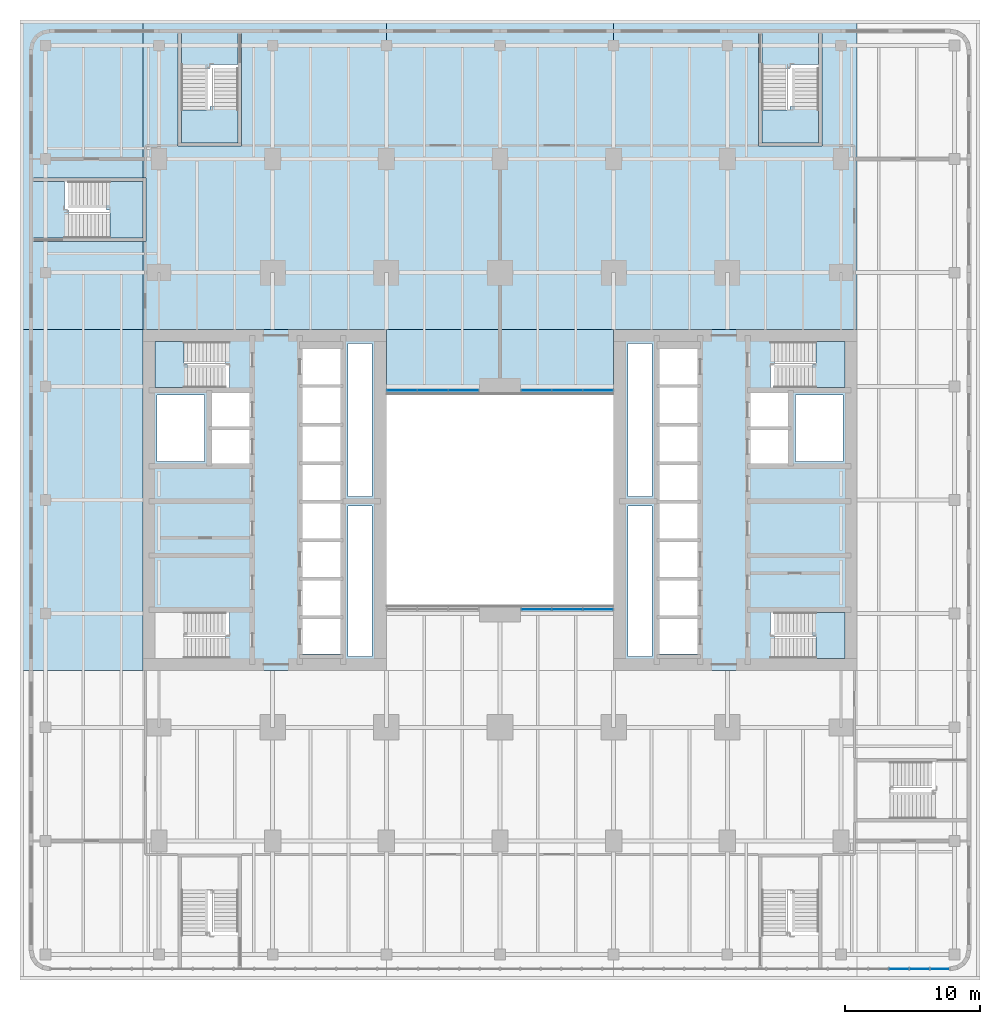
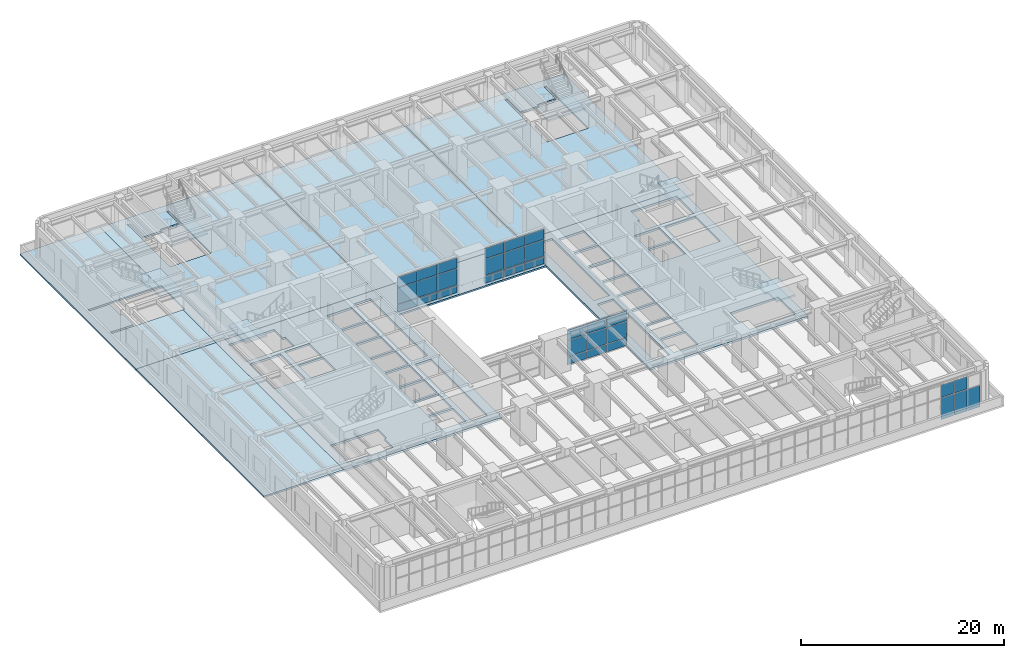
# One storey, part 15 of 30: 32 plates, 14 slabs, 10 elements without a shape of their own.
"""IFC4 building model written with IfcOpenShell, lengths in metres."""

from ifc_helpers import new_model, si_unit, direction, frame, origin, origin_2d, place, context, subcontext, project, spatial, polyline, rectangle, outline, extrude, material, layer, layer_set, type_object, element, aggregate, save


model = new_model("IFC4")

# Units and contexts
model_context = context("Model", 3, precision=1e-05, world=origin(), true_north=direction((0.0, 1.0)))
body_context = subcontext(model_context, "Body", "Model", "MODEL_VIEW")
ifc_project = project(units=[si_unit("LENGTHUNIT", "METRE"), si_unit("AREAUNIT", "SQUARE_METRE"), si_unit("VOLUMEUNIT", "CUBIC_METRE"), si_unit("PLANEANGLEUNIT", "RADIAN"), si_unit("MASSUNIT", "GRAM", prefix="KILO")], contexts=[model_context])

# Site, building, storey
site_placement = place(None, origin())
site = spatial("IfcSite", under=ifc_project, at=site_placement, CompositionType="ELEMENT")
building_placement = place(site_placement, origin())
building = spatial("IfcBuilding", under=site, at=building_placement, Name="Claustro Exchange Tower", CompositionType="ELEMENT")
storey_placement = place(building_placement, frame((0.0, 0.0, 5.39990234375)))
storey = spatial("IfcBuildingStorey", under=building, at=storey_placement, Name="L01", CompositionType="ELEMENT", Elevation=5.39990234375)

# Curtain wall, plates
ifc_material_1 = material(Name="Aluminium frame, clear double glazing", Category="aluminium")
curtain_wall_type_1 = type_object("IfcCurtainWallType", Name="CW1 storefront curtain wall", PredefinedType="USERDEFINED", material=ifc_material_1)
curtain_wall_1_placement = place(storey_placement, origin())
curtain_wall_1 = element("IfcCurtainWall", 1, at=curtain_wall_1_placement, inside=storey, type_object=curtain_wall_type_1, Name="Curtain wall CW1 L01", ObjectType="STICK CURTAIN WALL", PredefinedType="USERDEFINED")
ifc_material_2 = material(Name="Clear double glazing", Category="glass")
ifc_layer_1 = layer(ifc_material_2, 0.031982421875)
ifc_layer_set_1 = layer_set([ifc_layer_1], Name="Clear double glazing")
plate_type_1 = type_object("IfcPlateType", Name="CW1-P 32 glazed panel", PredefinedType="CURTAIN_PANEL", material=ifc_layer_set_1)
plate_1_placement = place(storey_placement, frame((54.702880859375, -9.449951171875, 0.0751953125), z_axis=(0.0, 0.0, 1.0), x_axis=(1.0, 0.0, 0.0)))
plate_1 = element("IfcPlate", 2, at=plate_1_placement, type_object=plate_type_1, Name="CW1 panel 42.1", PredefinedType="CURTAIN_PANEL", context=body_context, shape_type="SweptSolid", body=[
    extrude(rectangle(XDim=1.43798828125, YDim=0.031982421875, at=origin_2d()), origin(), (0.0, 0.0, 1.0), 2.58740234375),
])
plate_2_placement = place(storey_placement, frame((54.702880859375, -9.449951171875, 2.73779296875), z_axis=(0.0, 0.0, 1.0), x_axis=(1.0, 0.0, 0.0)))
plate_2 = element("IfcPlate", 3, at=plate_2_placement, type_object=plate_type_1, Name="CW1 panel 42.2", PredefinedType="CURTAIN_PANEL", context=body_context, shape_type="SweptSolid", body=[
    extrude(rectangle(XDim=1.43798828125, YDim=0.031982421875, at=origin_2d()), origin(), (0.0, 0.0, 1.0), 1.487548828125),
])
plate_3_placement = place(storey_placement, frame((56.2158203125, -9.449951171875, 0.0751953125), z_axis=(0.0, 0.0, 1.0), x_axis=(1.0, 0.0, 0.0)))
plate_3 = element("IfcPlate", 4, at=plate_3_placement, type_object=plate_type_1, Name="CW1 panel 43.1", PredefinedType="CURTAIN_PANEL", context=body_context, shape_type="SweptSolid", body=[
    extrude(rectangle(XDim=1.43798828125, YDim=0.031982421875, at=origin_2d()), origin(), (0.0, 0.0, 1.0), 2.58740234375),
])
plate_4_placement = place(storey_placement, frame((56.2158203125, -9.449951171875, 2.73779296875), z_axis=(0.0, 0.0, 1.0), x_axis=(1.0, 0.0, 0.0)))
plate_4 = element("IfcPlate", 5, at=plate_4_placement, type_object=plate_type_1, Name="CW1 panel 43.2", PredefinedType="CURTAIN_PANEL", context=body_context, shape_type="SweptSolid", body=[
    extrude(rectangle(XDim=1.43798828125, YDim=0.031982421875, at=origin_2d()), origin(), (0.0, 0.0, 1.0), 1.487548828125),
])
plate_5_placement = place(storey_placement, frame((57.7099609375, -9.449951171875, 0.0751953125), z_axis=(0.0, 0.0, 1.0), x_axis=(1.0, 0.0, 0.0)))
plate_5 = element("IfcPlate", 6, at=plate_5_placement, type_object=plate_type_1, Name="CW1 panel 44.1", PredefinedType="CURTAIN_PANEL", context=body_context, shape_type="SweptSolid", body=[
    extrude(rectangle(XDim=1.400390625, YDim=0.031982421875, at=origin_2d()), origin(), (0.0, 0.0, 1.0), 2.58740234375),
])
aggregate(curtain_wall_1, [plate_1, plate_2, plate_3, plate_4, plate_5])

ifc_material_3 = material(Name="Aluminium frame, clear double glazing", Category="aluminium")
curtain_wall_type_2 = type_object("IfcCurtainWallType", Name="CW3 light well curtain wall", PredefinedType="USERDEFINED", material=ifc_material_3)
curtain_wall_2_placement = place(storey_placement, origin())
curtain_wall_2 = element("IfcCurtainWall", 7, at=curtain_wall_2_placement, inside=storey, type_object=curtain_wall_type_2, Name="Curtain wall CW3 L01", ObjectType="STICK CURTAIN WALL", PredefinedType="USERDEFINED")
ifc_material_4 = material(Name="Clear double glazing", Category="glass")
ifc_layer_2 = layer(ifc_material_4, 0.030029296875)
ifc_layer_set_2 = layer_set([ifc_layer_2], Name="Clear double glazing")
plate_type_2 = type_object("IfcPlateType", Name="CW3-P 30 glazed panel", PredefinedType="CURTAIN_PANEL", material=ifc_layer_set_2)
plate_6_placement = place(storey_placement, frame((27.886962890625, 17.10009765625, 0.06494140625), z_axis=(0.0, 0.0, 1.0), x_axis=(1.0, 0.0, 0.0)))
plate_6 = element("IfcPlate", 8, at=plate_6_placement, type_object=plate_type_2, Name="CW3 panel 1.1", PredefinedType="CURTAIN_PANEL", context=body_context, shape_type="SweptSolid", body=[
    extrude(rectangle(XDim=2.194091796875, YDim=0.030029296875, at=origin_2d()), origin(), (0.0, 0.0, 1.0), 0.902587890625),
])
plate_7_placement = place(storey_placement, frame((27.886962890625, 17.10009765625, 1.032470703125), z_axis=(0.0, 0.0, 1.0), x_axis=(1.0, 0.0, 0.0)))
plate_7 = element("IfcPlate", 9, at=plate_7_placement, type_object=plate_type_2, Name="CW3 panel 1.2", PredefinedType="CURTAIN_PANEL", context=body_context, shape_type="SweptSolid", body=[
    extrude(rectangle(XDim=2.194091796875, YDim=0.030029296875, at=origin_2d()), origin(), (0.0, 0.0, 1.0), 1.93505859375),
])
plate_8_placement = place(storey_placement, frame((27.886962890625, 17.10009765625, 3.03271484375), z_axis=(0.0, 0.0, 1.0), x_axis=(1.0, 0.0, 0.0)))
plate_8 = element("IfcPlate", 10, at=plate_8_placement, type_object=plate_type_2, Name="CW3 panel 1.3", PredefinedType="CURTAIN_PANEL", context=body_context, shape_type="SweptSolid", body=[
    extrude(rectangle(XDim=2.194091796875, YDim=0.030029296875, at=origin_2d()), origin(), (0.0, 0.0, 1.0), 1.202392578125),
])
plate_9_placement = place(storey_placement, frame((30.16259765625, 17.10009765625, 0.06494140625), z_axis=(0.0, 0.0, 1.0), x_axis=(1.0, 0.0, 0.0)))
plate_9 = element("IfcPlate", 11, at=plate_9_placement, type_object=plate_type_2, Name="CW3 panel 2.1", PredefinedType="CURTAIN_PANEL", context=body_context, shape_type="SweptSolid", body=[
    extrude(rectangle(XDim=2.2265625, YDim=0.030029296875, at=origin_2d()), origin(), (0.0, 0.0, 1.0), 0.902587890625),
])
plate_10_placement = place(storey_placement, frame((30.16259765625, 17.10009765625, 1.032470703125), z_axis=(0.0, 0.0, 1.0), x_axis=(1.0, 0.0, 0.0)))
plate_10 = element("IfcPlate", 12, at=plate_10_placement, type_object=plate_type_2, Name="CW3 panel 2.2", PredefinedType="CURTAIN_PANEL", context=body_context, shape_type="SweptSolid", body=[
    extrude(rectangle(XDim=2.2265625, YDim=0.030029296875, at=origin_2d()), origin(), (0.0, 0.0, 1.0), 1.93505859375),
])
plate_11_placement = place(storey_placement, frame((30.16259765625, 17.10009765625, 3.03271484375), z_axis=(0.0, 0.0, 1.0), x_axis=(1.0, 0.0, 0.0)))
plate_11 = element("IfcPlate", 13, at=plate_11_placement, type_object=plate_type_2, Name="CW3 panel 2.3", PredefinedType="CURTAIN_PANEL", context=body_context, shape_type="SweptSolid", body=[
    extrude(rectangle(XDim=2.2265625, YDim=0.030029296875, at=origin_2d()), origin(), (0.0, 0.0, 1.0), 1.202392578125),
])
plate_12_placement = place(storey_placement, frame((32.43798828125, 17.10009765625, 0.06494140625), z_axis=(0.0, 0.0, 1.0), x_axis=(1.0, 0.0, 0.0)))
plate_12 = element("IfcPlate", 14, at=plate_12_placement, type_object=plate_type_2, Name="CW3 panel 3.1", PredefinedType="CURTAIN_PANEL", context=body_context, shape_type="SweptSolid", body=[
    extrude(rectangle(XDim=2.194091796875, YDim=0.030029296875, at=origin_2d()), origin(), (0.0, 0.0, 1.0), 0.902587890625),
])
plate_13_placement = place(storey_placement, frame((32.43798828125, 17.10009765625, 1.032470703125), z_axis=(0.0, 0.0, 1.0), x_axis=(1.0, 0.0, 0.0)))
plate_13 = element("IfcPlate", 15, at=plate_13_placement, type_object=plate_type_2, Name="CW3 panel 3.2", PredefinedType="CURTAIN_PANEL", context=body_context, shape_type="SweptSolid", body=[
    extrude(rectangle(XDim=2.194091796875, YDim=0.030029296875, at=origin_2d()), origin(), (0.0, 0.0, 1.0), 1.93505859375),
])
plate_14_placement = place(storey_placement, frame((32.43798828125, 17.10009765625, 3.03271484375), z_axis=(0.0, 0.0, 1.0), x_axis=(1.0, 0.0, 0.0)))
plate_14 = element("IfcPlate", 16, at=plate_14_placement, type_object=plate_type_2, Name="CW3 panel 3.3", PredefinedType="CURTAIN_PANEL", context=body_context, shape_type="SweptSolid", body=[
    extrude(rectangle(XDim=2.194091796875, YDim=0.030029296875, at=origin_2d()), origin(), (0.0, 0.0, 1.0), 1.202392578125),
])
aggregate(curtain_wall_2, [plate_6, plate_7, plate_8, plate_9, plate_10, plate_11, plate_12, plate_13, plate_14])

curtain_wall_3_placement = place(storey_placement, origin())
curtain_wall_3 = element("IfcCurtainWall", 17, at=curtain_wall_3_placement, inside=storey, type_object=curtain_wall_type_2, Name="Curtain wall CW3 L01", ObjectType="STICK CURTAIN WALL", PredefinedType="USERDEFINED")
plate_15_placement = place(storey_placement, frame((17.962158203125, 33.300048828125, 0.06494140625), z_axis=(0.0, 0.0, 1.0), x_axis=(1.0, 0.0, 0.0)))
plate_15 = element("IfcPlate", 18, at=plate_15_placement, type_object=plate_type_2, Name="CW3 panel 1.1", PredefinedType="CURTAIN_PANEL", context=body_context, shape_type="SweptSolid", body=[
    extrude(rectangle(XDim=2.194091796875, YDim=0.030029296875, at=origin_2d()), origin(), (0.0, 0.0, 1.0), 0.902587890625),
])
plate_16_placement = place(storey_placement, frame((17.962158203125, 33.300048828125, 1.032470703125), z_axis=(0.0, 0.0, 1.0), x_axis=(1.0, 0.0, 0.0)))
plate_16 = element("IfcPlate", 19, at=plate_16_placement, type_object=plate_type_2, Name="CW3 panel 1.2", PredefinedType="CURTAIN_PANEL", context=body_context, shape_type="SweptSolid", body=[
    extrude(rectangle(XDim=2.194091796875, YDim=0.030029296875, at=origin_2d()), origin(), (0.0, 0.0, 1.0), 1.93505859375),
])
plate_17_placement = place(storey_placement, frame((17.962158203125, 33.300048828125, 3.03271484375), z_axis=(0.0, 0.0, 1.0), x_axis=(1.0, 0.0, 0.0)))
plate_17 = element("IfcPlate", 20, at=plate_17_placement, type_object=plate_type_2, Name="CW3 panel 1.3", PredefinedType="CURTAIN_PANEL", context=body_context, shape_type="SweptSolid", body=[
    extrude(rectangle(XDim=2.194091796875, YDim=0.030029296875, at=origin_2d()), origin(), (0.0, 0.0, 1.0), 1.202392578125),
])
plate_18_placement = place(storey_placement, frame((20.237548828125, 33.300048828125, 0.06494140625), z_axis=(0.0, 0.0, 1.0), x_axis=(1.0, 0.0, 0.0)))
plate_18 = element("IfcPlate", 21, at=plate_18_placement, type_object=plate_type_2, Name="CW3 panel 2.1", PredefinedType="CURTAIN_PANEL", context=body_context, shape_type="SweptSolid", body=[
    extrude(rectangle(XDim=2.2265625, YDim=0.030029296875, at=origin_2d()), origin(), (0.0, 0.0, 1.0), 0.902587890625),
])
plate_19_placement = place(storey_placement, frame((20.237548828125, 33.300048828125, 1.032470703125), z_axis=(0.0, 0.0, 1.0), x_axis=(1.0, 0.0, 0.0)))
plate_19 = element("IfcPlate", 22, at=plate_19_placement, type_object=plate_type_2, Name="CW3 panel 2.2", PredefinedType="CURTAIN_PANEL", context=body_context, shape_type="SweptSolid", body=[
    extrude(rectangle(XDim=2.2265625, YDim=0.030029296875, at=origin_2d()), origin(), (0.0, 0.0, 1.0), 1.93505859375),
])
plate_20_placement = place(storey_placement, frame((20.237548828125, 33.300048828125, 3.03271484375), z_axis=(0.0, 0.0, 1.0), x_axis=(1.0, 0.0, 0.0)))
plate_20 = element("IfcPlate", 23, at=plate_20_placement, type_object=plate_type_2, Name="CW3 panel 2.3", PredefinedType="CURTAIN_PANEL", context=body_context, shape_type="SweptSolid", body=[
    extrude(rectangle(XDim=2.2265625, YDim=0.030029296875, at=origin_2d()), origin(), (0.0, 0.0, 1.0), 1.202392578125),
])
plate_21_placement = place(storey_placement, frame((22.512939453125, 33.300048828125, 0.06494140625), z_axis=(0.0, 0.0, 1.0), x_axis=(1.0, 0.0, 0.0)))
plate_21 = element("IfcPlate", 24, at=plate_21_placement, type_object=plate_type_2, Name="CW3 panel 3.1", PredefinedType="CURTAIN_PANEL", context=body_context, shape_type="SweptSolid", body=[
    extrude(rectangle(XDim=2.194091796875, YDim=0.030029296875, at=origin_2d()), origin(), (0.0, 0.0, 1.0), 0.902587890625),
])
plate_22_placement = place(storey_placement, frame((22.512939453125, 33.300048828125, 1.032470703125), z_axis=(0.0, 0.0, 1.0), x_axis=(1.0, 0.0, 0.0)))
plate_22 = element("IfcPlate", 25, at=plate_22_placement, type_object=plate_type_2, Name="CW3 panel 3.2", PredefinedType="CURTAIN_PANEL", context=body_context, shape_type="SweptSolid", body=[
    extrude(rectangle(XDim=2.194091796875, YDim=0.030029296875, at=origin_2d()), origin(), (0.0, 0.0, 1.0), 1.93505859375),
])
plate_23_placement = place(storey_placement, frame((22.512939453125, 33.300048828125, 3.03271484375), z_axis=(0.0, 0.0, 1.0), x_axis=(1.0, 0.0, 0.0)))
plate_23 = element("IfcPlate", 26, at=plate_23_placement, type_object=plate_type_2, Name="CW3 panel 3.3", PredefinedType="CURTAIN_PANEL", context=body_context, shape_type="SweptSolid", body=[
    extrude(rectangle(XDim=2.194091796875, YDim=0.030029296875, at=origin_2d()), origin(), (0.0, 0.0, 1.0), 1.202392578125),
])
aggregate(curtain_wall_3, [plate_15, plate_16, plate_17, plate_18, plate_19, plate_20, plate_21, plate_22, plate_23])

curtain_wall_4_placement = place(storey_placement, origin())
curtain_wall_4 = element("IfcCurtainWall", 27, at=curtain_wall_4_placement, inside=storey, type_object=curtain_wall_type_2, Name="Curtain wall CW3 L01", ObjectType="STICK CURTAIN WALL", PredefinedType="USERDEFINED")
plate_24_placement = place(storey_placement, frame((27.886962890625, 33.300048828125, 0.06494140625), z_axis=(0.0, 0.0, 1.0), x_axis=(1.0, 0.0, 0.0)))
plate_24 = element("IfcPlate", 28, at=plate_24_placement, type_object=plate_type_2, Name="CW3 panel 1.1", PredefinedType="CURTAIN_PANEL", context=body_context, shape_type="SweptSolid", body=[
    extrude(rectangle(XDim=2.194091796875, YDim=0.030029296875, at=origin_2d()), origin(), (0.0, 0.0, 1.0), 0.902587890625),
])
plate_25_placement = place(storey_placement, frame((27.886962890625, 33.300048828125, 1.032470703125), z_axis=(0.0, 0.0, 1.0), x_axis=(1.0, 0.0, 0.0)))
plate_25 = element("IfcPlate", 29, at=plate_25_placement, type_object=plate_type_2, Name="CW3 panel 1.2", PredefinedType="CURTAIN_PANEL", context=body_context, shape_type="SweptSolid", body=[
    extrude(rectangle(XDim=2.194091796875, YDim=0.030029296875, at=origin_2d()), origin(), (0.0, 0.0, 1.0), 1.93505859375),
])
plate_26_placement = place(storey_placement, frame((27.886962890625, 33.300048828125, 3.03271484375), z_axis=(0.0, 0.0, 1.0), x_axis=(1.0, 0.0, 0.0)))
plate_26 = element("IfcPlate", 30, at=plate_26_placement, type_object=plate_type_2, Name="CW3 panel 1.3", PredefinedType="CURTAIN_PANEL", context=body_context, shape_type="SweptSolid", body=[
    extrude(rectangle(XDim=2.194091796875, YDim=0.030029296875, at=origin_2d()), origin(), (0.0, 0.0, 1.0), 1.202392578125),
])
plate_27_placement = place(storey_placement, frame((30.16259765625, 33.300048828125, 0.06494140625), z_axis=(0.0, 0.0, 1.0), x_axis=(1.0, 0.0, 0.0)))
plate_27 = element("IfcPlate", 31, at=plate_27_placement, type_object=plate_type_2, Name="CW3 panel 2.1", PredefinedType="CURTAIN_PANEL", context=body_context, shape_type="SweptSolid", body=[
    extrude(rectangle(XDim=2.2265625, YDim=0.030029296875, at=origin_2d()), origin(), (0.0, 0.0, 1.0), 0.902587890625),
])
plate_28_placement = place(storey_placement, frame((30.16259765625, 33.300048828125, 1.032470703125), z_axis=(0.0, 0.0, 1.0), x_axis=(1.0, 0.0, 0.0)))
plate_28 = element("IfcPlate", 32, at=plate_28_placement, type_object=plate_type_2, Name="CW3 panel 2.2", PredefinedType="CURTAIN_PANEL", context=body_context, shape_type="SweptSolid", body=[
    extrude(rectangle(XDim=2.2265625, YDim=0.030029296875, at=origin_2d()), origin(), (0.0, 0.0, 1.0), 1.93505859375),
])
plate_29_placement = place(storey_placement, frame((30.16259765625, 33.300048828125, 3.03271484375), z_axis=(0.0, 0.0, 1.0), x_axis=(1.0, 0.0, 0.0)))
plate_29 = element("IfcPlate", 33, at=plate_29_placement, type_object=plate_type_2, Name="CW3 panel 2.3", PredefinedType="CURTAIN_PANEL", context=body_context, shape_type="SweptSolid", body=[
    extrude(rectangle(XDim=2.2265625, YDim=0.030029296875, at=origin_2d()), origin(), (0.0, 0.0, 1.0), 1.202392578125),
])
plate_30_placement = place(storey_placement, frame((32.43798828125, 33.300048828125, 0.06494140625), z_axis=(0.0, 0.0, 1.0), x_axis=(1.0, 0.0, 0.0)))
plate_30 = element("IfcPlate", 34, at=plate_30_placement, type_object=plate_type_2, Name="CW3 panel 3.1", PredefinedType="CURTAIN_PANEL", context=body_context, shape_type="SweptSolid", body=[
    extrude(rectangle(XDim=2.194091796875, YDim=0.030029296875, at=origin_2d()), origin(), (0.0, 0.0, 1.0), 0.902587890625),
])
plate_31_placement = place(storey_placement, frame((32.43798828125, 33.300048828125, 1.032470703125), z_axis=(0.0, 0.0, 1.0), x_axis=(1.0, 0.0, 0.0)))
plate_31 = element("IfcPlate", 35, at=plate_31_placement, type_object=plate_type_2, Name="CW3 panel 3.2", PredefinedType="CURTAIN_PANEL", context=body_context, shape_type="SweptSolid", body=[
    extrude(rectangle(XDim=2.194091796875, YDim=0.030029296875, at=origin_2d()), origin(), (0.0, 0.0, 1.0), 1.93505859375),
])
plate_32_placement = place(storey_placement, frame((32.43798828125, 33.300048828125, 3.03271484375), z_axis=(0.0, 0.0, 1.0), x_axis=(1.0, 0.0, 0.0)))
plate_32 = element("IfcPlate", 36, at=plate_32_placement, type_object=plate_type_2, Name="CW3 panel 3.3", PredefinedType="CURTAIN_PANEL", context=body_context, shape_type="SweptSolid", body=[
    extrude(rectangle(XDim=2.194091796875, YDim=0.030029296875, at=origin_2d()), origin(), (0.0, 0.0, 1.0), 1.202392578125),
])
aggregate(curtain_wall_4, [plate_24, plate_25, plate_26, plate_27, plate_28, plate_29, plate_30, plate_31, plate_32])

# Slabs
ifc_material_5 = material(Name="Concrete HA-50 (C50/60)", Category="concrete")
ifc_layer_3 = layer(ifc_material_5, 0.199951171875)
ifc_layer_set_3 = layer_set([ifc_layer_3], Name="Concrete HA-50 (C50/60)")
slab_type_1 = type_object("IfcSlabType", Name="S3 200 plant floor slab", PredefinedType="FLOOR", material=ifc_layer_set_3)
slab_1_placement = place(storey_placement, frame((0.0, 0.0, -0.199951171875)))
element("IfcSlab", 37, at=slab_1_placement, inside=storey, type_object=slab_type_1, Name="Floor slab S3 W L01", PredefinedType="FLOOR", context=body_context, shape_type="SweptSolid", body=[
    extrude(outline(polyline([(-10.27490234375, 37.800048828125), (-10.27490234375, 12.60009765625), (-1.199951171875, 12.60009765625), (-1.199951171875, 37.800048828125), (-10.27490234375, 37.800048828125)])), origin(), (0.0, 0.0, 1.0), 0.199951171875),
])
slab_2_placement = place(storey_placement, frame((0.0, 0.0, -0.199951171875)))
element("IfcSlab", 38, at=slab_2_placement, inside=storey, type_object=slab_type_1, Name="Floor slab S3 E L01", PredefinedType="FLOOR", context=body_context, shape_type="SweptSolid", body=[
    extrude(outline(polyline([(33.60009765625, 33.0), (33.60009765625, 37.800048828125), (16.800048828125, 37.800048828125), (16.800048828125, 33.0), (33.60009765625, 33.0)])), origin(), (0.0, 0.0, 1.0), 0.199951171875),
])
slab_3_placement = place(storey_placement, frame((0.0, 0.0, -0.199951171875)))
element("IfcSlab", 39, at=slab_3_placement, inside=storey, type_object=slab_type_1, Name="Floor slab S3 N L01", PredefinedType="FLOOR", context=body_context, shape_type="SweptSolid", body=[
    extrude(outline(polyline([(51.60009765625, 60.675048828125), (33.60009765625, 60.675048828125), (33.60009765625, 37.800048828125), (51.60009765625, 37.800048828125), (51.60009765625, 60.675048828125)]), holes=[polyline([(48.75, 59.679931640625), (49.0, 59.679931640625), (49.0, 51.60009765625), (49.0, 51.35009765625), (44.300048828125, 51.35009765625), (44.300048828125, 51.60009765625), (44.300048828125, 59.679931640625), (44.550048828125, 59.679931640625), (44.550048828125, 57.10009765625), (46.64990234375, 57.10009765625), (46.64990234375, 57.375), (48.75, 57.375), (48.75, 59.679931640625)])]), origin(), (0.0, 0.0, 1.0), 0.199951171875),
])
slab_4_placement = place(storey_placement, frame((0.0, 0.0, -0.199951171875)))
element("IfcSlab", 40, at=slab_4_placement, inside=storey, type_object=slab_type_1, Name="Floor slab S3 N L01", PredefinedType="FLOOR", context=body_context, shape_type="SweptSolid", body=[
    extrude(outline(polyline([(16.800048828125, 60.675048828125), (-1.199951171875, 60.675048828125), (-1.199951171875, 49.0), (-0.949951171875, 49.0), (-0.949951171875, 44.300048828125), (-1.199951171875, 44.300048828125), (-1.199951171875, 37.800048828125), (16.800048828125, 37.800048828125), (16.800048828125, 60.675048828125)]), holes=[polyline([(5.85009765625, 59.679931640625), (6.10009765625, 59.679931640625), (6.10009765625, 51.60009765625), (6.10009765625, 51.35009765625), (1.39990234375, 51.35009765625), (1.39990234375, 51.60009765625), (1.39990234375, 59.679931640625), (1.64990234375, 59.679931640625), (1.64990234375, 57.10009765625), (3.75, 57.10009765625), (3.75, 57.375), (5.85009765625, 57.375), (5.85009765625, 59.679931640625)])]), origin(), (0.0, 0.0, 1.0), 0.199951171875),
])
slab_5_placement = place(storey_placement, frame((0.0, 0.0, -0.199951171875)))
element("IfcSlab", 41, at=slab_5_placement, inside=storey, type_object=slab_type_1, Name="Floor slab S3 N L01", PredefinedType="FLOOR", context=body_context, shape_type="SweptSolid", body=[
    extrude(outline(polyline([(33.60009765625, 60.675048828125), (16.800048828125, 60.675048828125), (16.800048828125, 37.800048828125), (33.60009765625, 37.800048828125), (33.60009765625, 60.675048828125)])), origin(), (0.0, 0.0, 1.0), 0.199951171875),
])
slab_6_placement = place(storey_placement, frame((0.0, 0.0, -0.199951171875)))
element("IfcSlab", 42, at=slab_6_placement, inside=storey, type_object=slab_type_1, Name="Floor slab S3 N L01", PredefinedType="FLOOR", context=body_context, shape_type="SweptSolid", body=[
    extrude(outline(polyline([(-10.27490234375, 60.675048828125), (-10.27490234375, 37.800048828125), (-1.199951171875, 37.800048828125), (-1.199951171875, 44.300048828125), (-9.280029296875, 44.300048828125), (-9.280029296875, 44.550048828125), (-6.699951171875, 44.550048828125), (-6.699951171875, 46.64990234375), (-6.97509765625, 46.64990234375), (-6.97509765625, 48.75), (-9.280029296875, 48.75), (-9.280029296875, 49.0), (-1.199951171875, 49.0), (-1.199951171875, 60.675048828125), (-10.27490234375, 60.675048828125)])), origin(), (0.0, 0.0, 1.0), 0.199951171875),
])
ifc_material_6 = material(Name="Concrete HA-50 (C50/60)", Category="concrete")
ifc_layer_4 = layer(ifc_material_6, 0.25)
ifc_layer_set_4 = layer_set([ifc_layer_4], Name="Concrete HA-50 (C50/60)")
slab_type_2 = type_object("IfcSlabType", Name="S7 250 core floor slab", PredefinedType="FLOOR", material=ifc_layer_set_4)
slab_7_placement = place(storey_placement, frame((0.0, 0.0, -0.25)))
element("IfcSlab", 43, at=slab_7_placement, inside=storey, type_object=slab_type_2, Name="Core floor slab S7 W core L01", PredefinedType="FLOOR", context=body_context, shape_type="SweptSolid", body=[
    extrude(outline(polyline([(-1.199951171875, 12.60009765625), (16.800048828125, 12.60009765625), (16.800048828125, 37.800048828125), (-1.199951171875, 37.800048828125), (-1.199951171875, 12.60009765625)]), holes=[polyline([(15.75, 24.75), (15.75, 13.64990234375), (13.949951171875, 13.64990234375), (13.949951171875, 24.75), (15.75, 24.75)]), polyline([(15.75, 36.75), (15.75, 25.449951171875), (13.949951171875, 25.449951171875), (13.949951171875, 36.75), (15.75, 36.75)]), polyline([(10.60009765625, 16.39990234375), (13.39990234375, 16.39990234375), (13.39990234375, 13.800048828125), (10.60009765625, 13.800048828125), (10.60009765625, 16.39990234375)]), polyline([(13.39990234375, 19.25), (13.39990234375, 16.64990234375), (10.60009765625, 16.64990234375), (10.60009765625, 19.25), (13.39990234375, 19.25)]), polyline([(13.39990234375, 22.10009765625), (13.39990234375, 19.5), (10.60009765625, 19.5), (10.60009765625, 22.10009765625), (13.39990234375, 22.10009765625)]), polyline([(13.39990234375, 24.949951171875), (13.39990234375, 22.35009765625), (10.60009765625, 22.35009765625), (10.60009765625, 24.949951171875), (13.39990234375, 24.949951171875)]), polyline([(13.39990234375, 27.800048828125), (13.39990234375, 25.199951171875), (10.60009765625, 25.199951171875), (10.60009765625, 27.800048828125), (13.39990234375, 27.800048828125)]), polyline([(13.39990234375, 30.64990234375), (13.39990234375, 28.050048828125), (10.60009765625, 28.050048828125), (10.60009765625, 30.64990234375), (13.39990234375, 30.64990234375)]), polyline([(13.39990234375, 33.5), (13.39990234375, 30.89990234375), (10.60009765625, 30.89990234375), (10.60009765625, 33.5), (13.39990234375, 33.5)]), polyline([(13.39990234375, 36.35009765625), (13.39990234375, 33.75), (10.60009765625, 33.75), (10.60009765625, 36.35009765625), (13.39990234375, 36.35009765625)]), polyline([(6.699951171875, 30.375), (6.699951171875, 27.89990234375), (3.89990234375, 27.89990234375), (3.89990234375, 30.375), (6.699951171875, 30.375)]), polyline([(6.699951171875, 33.10009765625), (6.699951171875, 30.625), (3.89990234375, 30.625), (3.89990234375, 33.10009765625), (6.699951171875, 33.10009765625)]), polyline([(-0.300048828125, 16.89990234375), (5.195068359375, 16.89990234375), (5.195068359375, 15.199951171875), (4.919921875, 15.199951171875), (4.919921875, 13.5), (-0.300048828125, 13.5), (-0.300048828125, 15.199951171875), (-0.300048828125, 16.89990234375)]), polyline([(-0.300048828125, 35.199951171875), (-0.300048828125, 36.89990234375), (4.919921875, 36.89990234375), (4.919921875, 35.199951171875), (5.195068359375, 35.199951171875), (5.195068359375, 33.5), (-0.300048828125, 33.5), (-0.300048828125, 35.199951171875)]), polyline([(3.35009765625, 32.949951171875), (3.35009765625, 28.050048828125), (-0.14990234375, 28.050048828125), (-0.14990234375, 32.949951171875), (3.35009765625, 32.949951171875)])]), origin(), (0.0, 0.0, 1.0), 0.25),
])
slab_8_placement = place(storey_placement, frame((0.0, 0.0, -0.25)))
element("IfcSlab", 44, at=slab_8_placement, inside=storey, type_object=slab_type_2, Name="Core floor slab S7 E core L01", PredefinedType="FLOOR", context=body_context, shape_type="SweptSolid", body=[
    extrude(outline(polyline([(33.60009765625, 12.60009765625), (51.60009765625, 12.60009765625), (51.60009765625, 37.800048828125), (33.60009765625, 37.800048828125), (33.60009765625, 12.60009765625)]), holes=[polyline([(45.205078125, 15.199951171875), (45.205078125, 16.89990234375), (50.699951171875, 16.89990234375), (50.699951171875, 15.199951171875), (50.699951171875, 13.5), (45.47998046875, 13.5), (45.47998046875, 15.199951171875), (45.205078125, 15.199951171875)]), polyline([(45.47998046875, 35.199951171875), (45.47998046875, 36.89990234375), (50.699951171875, 36.89990234375), (50.699951171875, 35.199951171875), (50.699951171875, 33.5), (45.205078125, 33.5), (45.205078125, 35.199951171875), (45.47998046875, 35.199951171875)]), polyline([(50.550048828125, 32.949951171875), (50.550048828125, 28.050048828125), (47.050048828125, 28.050048828125), (47.050048828125, 32.949951171875), (50.550048828125, 32.949951171875)]), polyline([(46.5, 30.375), (46.5, 27.89990234375), (43.699951171875, 27.89990234375), (43.699951171875, 30.375), (46.5, 30.375)]), polyline([(46.5, 33.10009765625), (46.5, 30.625), (43.699951171875, 30.625), (43.699951171875, 33.10009765625), (46.5, 33.10009765625)]), polyline([(37.0, 16.39990234375), (39.800048828125, 16.39990234375), (39.800048828125, 13.800048828125), (37.0, 13.800048828125), (37.0, 16.39990234375)]), polyline([(39.800048828125, 19.25), (39.800048828125, 16.64990234375), (37.0, 16.64990234375), (37.0, 19.25), (39.800048828125, 19.25)]), polyline([(39.800048828125, 22.10009765625), (39.800048828125, 19.5), (37.0, 19.5), (37.0, 22.10009765625), (39.800048828125, 22.10009765625)]), polyline([(39.800048828125, 24.949951171875), (39.800048828125, 22.35009765625), (37.0, 22.35009765625), (37.0, 24.949951171875), (39.800048828125, 24.949951171875)]), polyline([(39.800048828125, 27.800048828125), (39.800048828125, 25.199951171875), (37.0, 25.199951171875), (37.0, 27.800048828125), (39.800048828125, 27.800048828125)]), polyline([(39.800048828125, 30.64990234375), (39.800048828125, 28.050048828125), (37.0, 28.050048828125), (37.0, 30.64990234375), (39.800048828125, 30.64990234375)]), polyline([(39.800048828125, 33.5), (39.800048828125, 30.89990234375), (37.0, 30.89990234375), (37.0, 33.5), (39.800048828125, 33.5)]), polyline([(39.800048828125, 36.35009765625), (39.800048828125, 33.75), (37.0, 33.75), (37.0, 36.35009765625), (39.800048828125, 36.35009765625)]), polyline([(36.449951171875, 24.75), (36.449951171875, 13.64990234375), (34.64990234375, 13.64990234375), (34.64990234375, 24.75), (36.449951171875, 24.75)]), polyline([(36.449951171875, 36.75), (36.449951171875, 25.449951171875), (34.64990234375, 25.449951171875), (34.64990234375, 36.75), (36.449951171875, 36.75)])]), origin(), (0.0, 0.0, 1.0), 0.25),
])

# Stair, slab
ifc_material_7 = material(Name="Concrete HA-30 (C30/37), precast", Category="concrete")
stair_type_1 = type_object("IfcStairType", Name="ST2 half-turn stair, 25 risers of 180", PredefinedType="HALF_TURN_STAIR", material=ifc_material_7)
stair_1_placement = place(storey_placement, origin())
stair_1 = element("IfcStair", 45, at=stair_1_placement, inside=storey, type_object=stair_type_1, Name="Stair STWB L01", PredefinedType="HALF_TURN_STAIR")
ifc_material_8 = material(Name="Concrete HA-30 (C30/37), precast", Category="concrete")
ifc_layer_5 = layer(ifc_material_8, 0.199951171875)
ifc_layer_set_5 = layer_set([ifc_layer_5], Name="Concrete HA-30 (C30/37), precast")
slab_type_3 = type_object("IfcSlabType", Name="S9 200 stair landing", PredefinedType="LANDING", material=ifc_layer_set_5)
slab_9_placement = place(storey_placement, frame((0.0, 0.0, 2.14013671875)))
slab_9 = element("IfcSlab", 46, at=slab_9_placement, type_object=slab_type_3, Name="STWB landing 1", PredefinedType="LANDING", context=body_context, shape_type="SweptSolid", body=[
    extrude(outline(polyline([(2.1201171875, 35.199951171875), (2.1201171875, 33.5), (1.844970703125, 33.5), (1.840087890625, 33.5), (-0.300048828125, 33.5), (-0.300048828125, 36.89990234375), (1.844970703125, 36.89990234375), (1.844970703125, 35.199951171875), (2.1201171875, 35.199951171875)])), origin(), (0.0, 0.0, 1.0), 0.199951171875),
])
aggregate(stair_1, [slab_9])

stair_2_placement = place(storey_placement, origin())
stair_2 = element("IfcStair", 47, at=stair_2_placement, inside=storey, type_object=stair_type_1, Name="Stair STEA L01", PredefinedType="HALF_TURN_STAIR")
slab_10_placement = place(storey_placement, frame((0.0, 0.0, 2.14013671875)))
slab_10 = element("IfcSlab", 48, at=slab_10_placement, type_object=slab_type_3, Name="STEA landing 1", PredefinedType="LANDING", context=body_context, shape_type="SweptSolid", body=[
    extrude(outline(polyline([(50.699951171875, 16.89990234375), (50.699951171875, 13.5), (48.554931640625, 13.5), (48.554931640625, 15.199951171875), (48.280029296875, 15.199951171875), (48.280029296875, 16.89990234375), (48.554931640625, 16.89990234375), (48.56005859375, 16.89990234375), (50.699951171875, 16.89990234375)])), origin(), (0.0, 0.0, 1.0), 0.199951171875),
])
aggregate(stair_2, [slab_10])

stair_3_placement = place(storey_placement, origin())
stair_3 = element("IfcStair", 49, at=stair_3_placement, inside=storey, type_object=stair_type_1, Name="Stair STEB L01", PredefinedType="HALF_TURN_STAIR")
slab_11_placement = place(storey_placement, frame((0.0, 0.0, 2.14013671875)))
slab_11 = element("IfcSlab", 50, at=slab_11_placement, type_object=slab_type_3, Name="STEB landing 1", PredefinedType="LANDING", context=body_context, shape_type="SweptSolid", body=[
    extrude(outline(polyline([(48.280029296875, 33.5), (48.280029296875, 35.199951171875), (48.554931640625, 35.199951171875), (48.554931640625, 36.89990234375), (50.699951171875, 36.89990234375), (50.699951171875, 33.5), (48.56005859375, 33.5), (48.554931640625, 33.5), (48.280029296875, 33.5)])), origin(), (0.0, 0.0, 1.0), 0.199951171875),
])
aggregate(stair_3, [slab_11])

ifc_material_9 = material(Name="Concrete HA-30 (C30/37), precast", Category="concrete")
stair_type_2 = type_object("IfcStairType", Name="ST5 half-turn podium escape stair, 25 risers of 180, 1800 flights", PredefinedType="HALF_TURN_STAIR", material=ifc_material_9)
stair_4_placement = place(storey_placement, origin())
stair_4 = element("IfcStair", 51, at=stair_4_placement, inside=storey, type_object=stair_type_2, Name="Stair STP3 L01", PredefinedType="HALF_TURN_STAIR")
slab_12_placement = place(storey_placement, frame((0.0, 0.0, 2.14013671875)))
slab_12 = element("IfcSlab", 52, at=slab_12_placement, type_object=slab_type_3, Name="STP3 landing 1", PredefinedType="LANDING", context=body_context, shape_type="SweptSolid", body=[
    extrude(outline(polyline([(5.85009765625, 51.60009765625), (1.64990234375, 51.60009765625), (1.64990234375, 54.02490234375), (3.75, 54.02490234375), (3.75, 54.300048828125), (5.85009765625, 54.300048828125), (5.85009765625, 54.02490234375), (5.85009765625, 54.02001953125), (5.85009765625, 51.60009765625)])), origin(), (0.0, 0.0, 1.0), 0.199951171875),
])
aggregate(stair_4, [slab_12])

stair_5_placement = place(storey_placement, origin())
stair_5 = element("IfcStair", 53, at=stair_5_placement, inside=storey, type_object=stair_type_2, Name="Stair STP4 L01", PredefinedType="HALF_TURN_STAIR")
slab_13_placement = place(storey_placement, frame((0.0, 0.0, 2.14013671875)))
slab_13 = element("IfcSlab", 54, at=slab_13_placement, type_object=slab_type_3, Name="STP4 landing 1", PredefinedType="LANDING", context=body_context, shape_type="SweptSolid", body=[
    extrude(outline(polyline([(48.75, 51.60009765625), (44.550048828125, 51.60009765625), (44.550048828125, 54.02490234375), (46.64990234375, 54.02490234375), (46.64990234375, 54.300048828125), (48.75, 54.300048828125), (48.75, 54.02490234375), (48.75, 54.02001953125), (48.75, 51.60009765625)])), origin(), (0.0, 0.0, 1.0), 0.199951171875),
])
aggregate(stair_5, [slab_13])

stair_6_placement = place(storey_placement, origin())
stair_6 = element("IfcStair", 55, at=stair_6_placement, inside=storey, type_object=stair_type_2, Name="Stair STP5 L01", PredefinedType="HALF_TURN_STAIR")
slab_14_placement = place(storey_placement, frame((0.0, 0.0, 2.14013671875)))
slab_14 = element("IfcSlab", 56, at=slab_14_placement, type_object=slab_type_3, Name="STP5 landing 1", PredefinedType="LANDING", context=body_context, shape_type="SweptSolid", body=[
    extrude(outline(polyline([(-1.199951171875, 48.75), (-1.199951171875, 44.550048828125), (-3.625, 44.550048828125), (-3.625, 46.64990234375), (-3.89990234375, 46.64990234375), (-3.89990234375, 48.75), (-3.625, 48.75), (-3.6201171875, 48.75), (-1.199951171875, 48.75)])), origin(), (0.0, 0.0, 1.0), 0.199951171875),
])
aggregate(stair_6, [slab_14])

save(model, "model.ifc")
